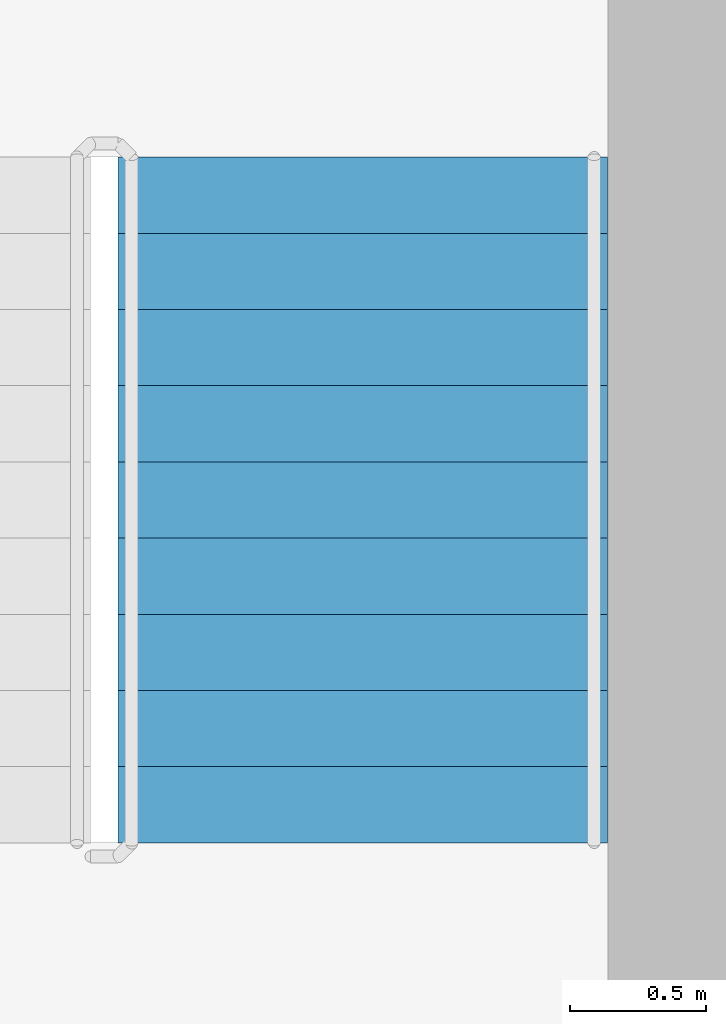
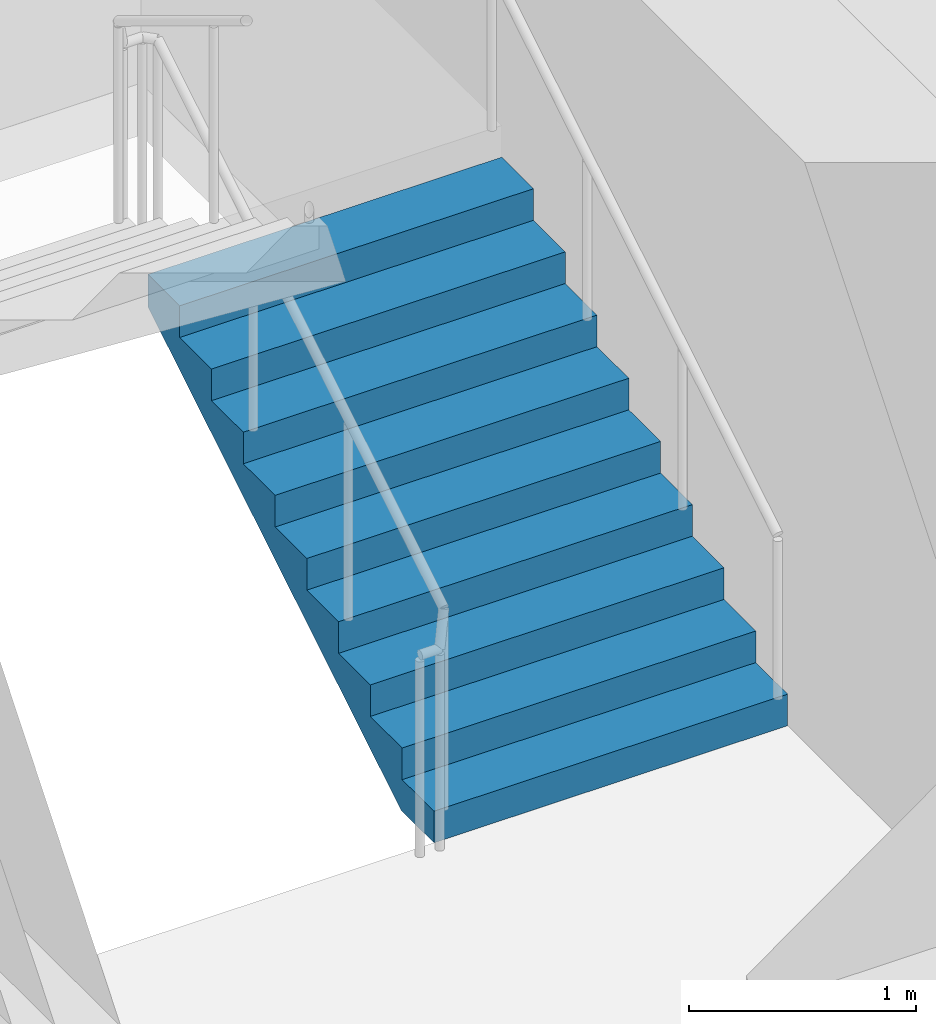
# One storey, part 12 of 21: 1 stair flight, 1 element without a shape of its own.
"""IFC4 building model written with IfcOpenShell, lengths in metres."""

from ifc_helpers import new_model, si_unit, direction, frame, origin, place, context, subcontext, project, spatial, triangles, source, transform, mapped, material, type_object, element, aggregate, save


model = new_model("IFC4")

# Units and contexts
model_context = context("Model", 3, precision=1e-05, world=origin(), true_north=direction((0.0, 1.0)))
body_context = subcontext(model_context, "Body", "Model", "MODEL_VIEW")
ifc_project = project(units=[si_unit("LENGTHUNIT", "METRE"), si_unit("AREAUNIT", "SQUARE_METRE"), si_unit("VOLUMEUNIT", "CUBIC_METRE"), si_unit("PLANEANGLEUNIT", "RADIAN"), si_unit("MASSUNIT", "GRAM", prefix="KILO")], contexts=[model_context])

# Site, building, storey
site_placement = place(None, origin())
site = spatial("IfcSite", under=ifc_project, at=site_placement, CompositionType="ELEMENT")
building_placement = place(site_placement, origin())
building = spatial("IfcBuilding", under=site, at=building_placement, Name="Kilnfold Tower and Market Hall", CompositionType="ELEMENT")
storey_placement = place(building_placement, frame((0.0, 0.0, 182.10009765625)))
storey = spatial("IfcBuildingStorey", under=building, at=storey_placement, Name="L43", CompositionType="ELEMENT", Elevation=182.10009765625)

# Stair, stair flight
ifc_material_1 = material(Name="Concrete C40/50", Category="concrete")
stair_type = type_object("IfcStairType", Name="CORE STAIR 1800", PredefinedType="HALF_TURN_STAIR", material=ifc_material_1)
stair_placement = place(storey_placement, origin())
stair = element("IfcStair", 1, at=stair_placement, inside=storey, type_object=stair_type, Name="L43 ST2", PredefinedType="HALF_TURN_STAIR")
ifc_material_2 = material(Name="Concrete C40/50", Category="concrete")
stair_flight_type = type_object("IfcStairFlightType", Name="CORE STAIR FLIGHT 1800", PredefinedType="STRAIGHT", material=ifc_material_2)
shared_shape = source(origin(), body_context, "Body", "Tessellation", [
    triangles([(0.0, 0.89990234375, 0.0), (0.0, 0.78759765625, 0.0), (0.0, 0.675048828125, 0.0), (0.0, 0.5625, 0.0), (0.0, 0.449951171875, 0.0), (0.0, 0.33740234375, 0.0), (0.0, 0.22509765625, 0.0), (0.0, 0.112548828125, 0.0), (0.0, 0.0, 0.0), (0.0, -0.112548828125, 0.0), (0.0, -0.22509765625, 0.0), (0.0, -0.33740234375, 0.0), (0.0, -0.449951171875, 0.0), (0.0, -0.5625, 0.0), (0.0, -0.675048828125, 0.0), (0.0, -0.78759765625, 0.0), (0.0, -0.89990234375, 0.0), (0.0, 0.89990234375, 0.169921875), (0.0, 0.78759765625, 0.169921875), (0.0, 0.675048828125, 0.169921875), (0.0, 0.5625, 0.169921875), (0.0, 0.449951171875, 0.169921875), (0.0, 0.33740234375, 0.169921875), (0.0, 0.22509765625, 0.169921875), (0.0, 0.112548828125, 0.169921875), (0.0, 0.0, 0.169921875), (0.0, -0.112548828125, 0.169921875), (0.0, -0.22509765625, 0.169921875), (0.0, -0.33740234375, 0.169921875), (0.0, -0.449951171875, 0.169921875), (0.0, -0.5625, 0.169921875), (0.0, -0.675048828125, 0.169921875), (0.0, -0.78759765625, 0.169921875), (0.0, -0.89990234375, 0.169921875), (0.280029296875, 0.89990234375, 0.169921875), (0.280029296875, 0.78759765625, 0.169921875), (0.280029296875, 0.675048828125, 0.169921875), (0.280029296875, 0.5625, 0.169921875), (0.280029296875, 0.449951171875, 0.169921875), (0.280029296875, 0.33740234375, 0.169921875), (0.280029296875, 0.22509765625, 0.169921875), (0.280029296875, 0.112548828125, 0.169921875), (0.280029296875, 0.0, 0.169921875), (0.280029296875, -0.112548828125, 0.169921875), (0.280029296875, -0.22509765625, 0.169921875), (0.280029296875, -0.33740234375, 0.169921875), (0.280029296875, -0.449951171875, 0.169921875), (0.280029296875, -0.5625, 0.169921875), (0.280029296875, -0.675048828125, 0.169921875), (0.280029296875, -0.78759765625, 0.169921875), (0.280029296875, -0.89990234375, 0.169921875), (0.280029296875, 0.89990234375, 0.340087890625), (0.280029296875, 0.78759765625, 0.340087890625), (0.280029296875, 0.675048828125, 0.340087890625), (0.280029296875, 0.5625, 0.340087890625), (0.280029296875, 0.449951171875, 0.340087890625), (0.280029296875, 0.33740234375, 0.340087890625), (0.280029296875, 0.22509765625, 0.340087890625), (0.280029296875, 0.112548828125, 0.340087890625), (0.280029296875, 0.0, 0.340087890625), (0.280029296875, -0.112548828125, 0.340087890625), (0.280029296875, -0.22509765625, 0.340087890625), (0.280029296875, -0.33740234375, 0.340087890625), (0.280029296875, -0.449951171875, 0.340087890625), (0.280029296875, -0.5625, 0.340087890625), (0.280029296875, -0.675048828125, 0.340087890625), (0.280029296875, -0.78759765625, 0.340087890625), (0.280029296875, -0.89990234375, 0.340087890625), (0.56005859375, 0.89990234375, 0.340087890625), (0.56005859375, 0.78759765625, 0.340087890625), (0.56005859375, 0.675048828125, 0.340087890625), (0.56005859375, 0.5625, 0.340087890625), (0.56005859375, 0.449951171875, 0.340087890625), (0.56005859375, 0.33740234375, 0.340087890625), (0.56005859375, 0.22509765625, 0.340087890625), (0.56005859375, 0.112548828125, 0.340087890625), (0.56005859375, 0.0, 0.340087890625), (0.56005859375, -0.112548828125, 0.340087890625), (0.56005859375, -0.22509765625, 0.340087890625), (0.56005859375, -0.33740234375, 0.340087890625), (0.56005859375, -0.449951171875, 0.340087890625), (0.56005859375, -0.5625, 0.340087890625), (0.56005859375, -0.675048828125, 0.340087890625), (0.56005859375, -0.78759765625, 0.340087890625), (0.56005859375, -0.89990234375, 0.340087890625), (0.56005859375, 0.89990234375, 0.510009765625), (0.56005859375, 0.78759765625, 0.510009765625), (0.56005859375, 0.675048828125, 0.510009765625), (0.56005859375, 0.5625, 0.510009765625), (0.56005859375, 0.449951171875, 0.510009765625), (0.56005859375, 0.33740234375, 0.510009765625), (0.56005859375, 0.22509765625, 0.510009765625), (0.56005859375, 0.112548828125, 0.510009765625), (0.56005859375, 0.0, 0.510009765625), (0.56005859375, -0.112548828125, 0.510009765625), (0.56005859375, -0.22509765625, 0.510009765625), (0.56005859375, -0.33740234375, 0.510009765625), (0.56005859375, -0.449951171875, 0.510009765625), (0.56005859375, -0.5625, 0.510009765625), (0.56005859375, -0.675048828125, 0.510009765625), (0.56005859375, -0.78759765625, 0.510009765625), (0.56005859375, -0.89990234375, 0.510009765625), (0.840087890625, 0.89990234375, 0.510009765625), (0.840087890625, 0.78759765625, 0.510009765625), (0.840087890625, 0.675048828125, 0.510009765625), (0.840087890625, 0.5625, 0.510009765625), (0.840087890625, 0.449951171875, 0.510009765625), (0.840087890625, 0.33740234375, 0.510009765625), (0.840087890625, 0.22509765625, 0.510009765625), (0.840087890625, 0.112548828125, 0.510009765625), (0.840087890625, 0.0, 0.510009765625), (0.840087890625, -0.112548828125, 0.510009765625), (0.840087890625, -0.22509765625, 0.510009765625), (0.840087890625, -0.33740234375, 0.510009765625), (0.840087890625, -0.449951171875, 0.510009765625), (0.840087890625, -0.5625, 0.510009765625), (0.840087890625, -0.675048828125, 0.510009765625), (0.840087890625, -0.78759765625, 0.510009765625), (0.840087890625, -0.89990234375, 0.510009765625), (0.840087890625, 0.89990234375, 0.679931640625), (0.840087890625, 0.78759765625, 0.679931640625), (0.840087890625, 0.675048828125, 0.679931640625), (0.840087890625, 0.5625, 0.679931640625), (0.840087890625, 0.449951171875, 0.679931640625), (0.840087890625, 0.33740234375, 0.679931640625), (0.840087890625, 0.22509765625, 0.679931640625), (0.840087890625, 0.112548828125, 0.679931640625), (0.840087890625, 0.0, 0.679931640625), (0.840087890625, -0.112548828125, 0.679931640625), (0.840087890625, -0.22509765625, 0.679931640625), (0.840087890625, -0.33740234375, 0.679931640625), (0.840087890625, -0.449951171875, 0.679931640625), (0.840087890625, -0.5625, 0.679931640625), (0.840087890625, -0.675048828125, 0.679931640625), (0.840087890625, -0.78759765625, 0.679931640625), (0.840087890625, -0.89990234375, 0.679931640625), (1.1201171875, 0.89990234375, 0.679931640625), (1.1201171875, 0.78759765625, 0.679931640625), (1.1201171875, 0.675048828125, 0.679931640625), (1.1201171875, 0.5625, 0.679931640625), (1.1201171875, 0.449951171875, 0.679931640625), (1.1201171875, 0.33740234375, 0.679931640625), (1.1201171875, 0.22509765625, 0.679931640625), (1.1201171875, 0.112548828125, 0.679931640625), (1.1201171875, 0.0, 0.679931640625), (1.1201171875, -0.112548828125, 0.679931640625), (1.1201171875, -0.22509765625, 0.679931640625), (1.1201171875, -0.33740234375, 0.679931640625), (1.1201171875, -0.449951171875, 0.679931640625), (1.1201171875, -0.5625, 0.679931640625), (1.1201171875, -0.675048828125, 0.679931640625), (1.1201171875, -0.78759765625, 0.679931640625), (1.1201171875, -0.89990234375, 0.679931640625), (1.1201171875, 0.89990234375, 0.85009765625), (1.1201171875, 0.78759765625, 0.85009765625), (1.1201171875, 0.675048828125, 0.85009765625), (1.1201171875, 0.5625, 0.85009765625), (1.1201171875, 0.449951171875, 0.85009765625), (1.1201171875, 0.33740234375, 0.85009765625), (1.1201171875, 0.22509765625, 0.85009765625), (1.1201171875, 0.112548828125, 0.85009765625), (1.1201171875, 0.0, 0.85009765625), (1.1201171875, -0.112548828125, 0.85009765625), (1.1201171875, -0.22509765625, 0.85009765625), (1.1201171875, -0.33740234375, 0.85009765625), (1.1201171875, -0.449951171875, 0.85009765625), (1.1201171875, -0.5625, 0.85009765625), (1.1201171875, -0.675048828125, 0.85009765625), (1.1201171875, -0.78759765625, 0.85009765625), (1.1201171875, -0.89990234375, 0.85009765625), (1.39990234375, 0.89990234375, 0.85009765625), (1.39990234375, 0.78759765625, 0.85009765625), (1.39990234375, 0.675048828125, 0.85009765625), (1.39990234375, 0.5625, 0.85009765625), (1.39990234375, 0.449951171875, 0.85009765625), (1.39990234375, 0.33740234375, 0.85009765625), (1.39990234375, 0.22509765625, 0.85009765625), (1.39990234375, 0.112548828125, 0.85009765625), (1.39990234375, 0.0, 0.85009765625), (1.39990234375, -0.112548828125, 0.85009765625), (1.39990234375, -0.22509765625, 0.85009765625), (1.39990234375, -0.33740234375, 0.85009765625), (1.39990234375, -0.449951171875, 0.85009765625), (1.39990234375, -0.5625, 0.85009765625), (1.39990234375, -0.675048828125, 0.85009765625), (1.39990234375, -0.78759765625, 0.85009765625), (1.39990234375, -0.89990234375, 0.85009765625), (1.39990234375, 0.89990234375, 1.02001953125), (1.39990234375, 0.78759765625, 1.02001953125), (1.39990234375, 0.675048828125, 1.02001953125), (1.39990234375, 0.5625, 1.02001953125), (1.39990234375, 0.449951171875, 1.02001953125), (1.39990234375, 0.33740234375, 1.02001953125), (1.39990234375, 0.22509765625, 1.02001953125), (1.39990234375, 0.112548828125, 1.02001953125), (1.39990234375, 0.0, 1.02001953125), (1.39990234375, -0.112548828125, 1.02001953125), (1.39990234375, -0.22509765625, 1.02001953125), (1.39990234375, -0.33740234375, 1.02001953125), (1.39990234375, -0.449951171875, 1.02001953125), (1.39990234375, -0.5625, 1.02001953125), (1.39990234375, -0.675048828125, 1.02001953125), (1.39990234375, -0.78759765625, 1.02001953125), (1.39990234375, -0.89990234375, 1.02001953125), (1.679931640625, 0.89990234375, 1.02001953125), (1.679931640625, 0.78759765625, 1.02001953125), (1.679931640625, 0.675048828125, 1.02001953125), (1.679931640625, 0.5625, 1.02001953125), (1.679931640625, 0.449951171875, 1.02001953125), (1.679931640625, 0.33740234375, 1.02001953125), (1.679931640625, 0.22509765625, 1.02001953125), (1.679931640625, 0.112548828125, 1.02001953125), (1.679931640625, 0.0, 1.02001953125), (1.679931640625, -0.112548828125, 1.02001953125), (1.679931640625, -0.22509765625, 1.02001953125), (1.679931640625, -0.33740234375, 1.02001953125), (1.679931640625, -0.449951171875, 1.02001953125), (1.679931640625, -0.5625, 1.02001953125), (1.679931640625, -0.675048828125, 1.02001953125), (1.679931640625, -0.78759765625, 1.02001953125), (1.679931640625, -0.89990234375, 1.02001953125), (1.679931640625, 0.89990234375, 1.18994140625), (1.679931640625, 0.78759765625, 1.18994140625), (1.679931640625, 0.675048828125, 1.18994140625), (1.679931640625, 0.5625, 1.18994140625), (1.679931640625, 0.449951171875, 1.18994140625), (1.679931640625, 0.33740234375, 1.18994140625), (1.679931640625, 0.22509765625, 1.18994140625), (1.679931640625, 0.112548828125, 1.18994140625), (1.679931640625, 0.0, 1.18994140625), (1.679931640625, -0.112548828125, 1.18994140625), (1.679931640625, -0.22509765625, 1.18994140625), (1.679931640625, -0.33740234375, 1.18994140625), (1.679931640625, -0.449951171875, 1.18994140625), (1.679931640625, -0.5625, 1.18994140625), (1.679931640625, -0.675048828125, 1.18994140625), (1.679931640625, -0.78759765625, 1.18994140625), (1.679931640625, -0.89990234375, 1.18994140625), (1.9599609375, 0.89990234375, 1.18994140625), (1.9599609375, 0.78759765625, 1.18994140625), (1.9599609375, 0.675048828125, 1.18994140625), (1.9599609375, 0.5625, 1.18994140625), (1.9599609375, 0.449951171875, 1.18994140625), (1.9599609375, 0.33740234375, 1.18994140625), (1.9599609375, 0.22509765625, 1.18994140625), (1.9599609375, 0.112548828125, 1.18994140625), (1.9599609375, 0.0, 1.18994140625), (1.9599609375, -0.112548828125, 1.18994140625), (1.9599609375, -0.22509765625, 1.18994140625), (1.9599609375, -0.33740234375, 1.18994140625), (1.9599609375, -0.449951171875, 1.18994140625), (1.9599609375, -0.5625, 1.18994140625), (1.9599609375, -0.675048828125, 1.18994140625), (1.9599609375, -0.78759765625, 1.18994140625), (1.9599609375, -0.89990234375, 1.18994140625), (1.9599609375, 0.89990234375, 1.360107421875), (1.9599609375, 0.78759765625, 1.360107421875), (1.9599609375, 0.675048828125, 1.360107421875), (1.9599609375, 0.5625, 1.360107421875), (1.9599609375, 0.449951171875, 1.360107421875), (1.9599609375, 0.33740234375, 1.360107421875), (1.9599609375, 0.22509765625, 1.360107421875), (1.9599609375, 0.112548828125, 1.360107421875), (1.9599609375, 0.0, 1.360107421875), (1.9599609375, -0.112548828125, 1.360107421875), (1.9599609375, -0.22509765625, 1.360107421875), (1.9599609375, -0.33740234375, 1.360107421875), (1.9599609375, -0.449951171875, 1.360107421875), (1.9599609375, -0.5625, 1.360107421875), (1.9599609375, -0.675048828125, 1.360107421875), (1.9599609375, -0.78759765625, 1.360107421875), (1.9599609375, -0.89990234375, 1.360107421875), (2.239990234375, 0.89990234375, 1.360107421875), (2.239990234375, 0.78759765625, 1.360107421875), (2.239990234375, 0.675048828125, 1.360107421875), (2.239990234375, 0.5625, 1.360107421875), (2.239990234375, 0.449951171875, 1.360107421875), (2.239990234375, 0.33740234375, 1.360107421875), (2.239990234375, 0.22509765625, 1.360107421875), (2.239990234375, 0.112548828125, 1.360107421875), (2.239990234375, 0.0, 1.360107421875), (2.239990234375, -0.112548828125, 1.360107421875), (2.239990234375, -0.22509765625, 1.360107421875), (2.239990234375, -0.33740234375, 1.360107421875), (2.239990234375, -0.449951171875, 1.360107421875), (2.239990234375, -0.5625, 1.360107421875), (2.239990234375, -0.675048828125, 1.360107421875), (2.239990234375, -0.78759765625, 1.360107421875), (2.239990234375, -0.89990234375, 1.360107421875), (2.239990234375, 0.89990234375, 1.530029296875), (2.239990234375, 0.78759765625, 1.530029296875), (2.239990234375, 0.675048828125, 1.530029296875), (2.239990234375, 0.5625, 1.530029296875), (2.239990234375, 0.449951171875, 1.530029296875), (2.239990234375, 0.33740234375, 1.530029296875), (2.239990234375, 0.22509765625, 1.530029296875), (2.239990234375, 0.112548828125, 1.530029296875), (2.239990234375, 0.0, 1.530029296875), (2.239990234375, -0.112548828125, 1.530029296875), (2.239990234375, -0.22509765625, 1.530029296875), (2.239990234375, -0.33740234375, 1.530029296875), (2.239990234375, -0.449951171875, 1.530029296875), (2.239990234375, -0.5625, 1.530029296875), (2.239990234375, -0.675048828125, 1.530029296875), (2.239990234375, -0.78759765625, 1.530029296875), (2.239990234375, -0.89990234375, 1.530029296875), (2.52001953125, 0.89990234375, 1.530029296875), (2.52001953125, 0.78759765625, 1.530029296875), (2.52001953125, 0.675048828125, 1.530029296875), (2.52001953125, 0.5625, 1.530029296875), (2.52001953125, 0.449951171875, 1.530029296875), (2.52001953125, 0.33740234375, 1.530029296875), (2.52001953125, 0.22509765625, 1.530029296875), (2.52001953125, 0.112548828125, 1.530029296875), (2.52001953125, 0.0, 1.530029296875), (2.52001953125, -0.112548828125, 1.530029296875), (2.52001953125, -0.22509765625, 1.530029296875), (2.52001953125, -0.33740234375, 1.530029296875), (2.52001953125, -0.449951171875, 1.530029296875), (2.52001953125, -0.5625, 1.530029296875), (2.52001953125, -0.675048828125, 1.530029296875), (2.52001953125, -0.78759765625, 1.530029296875), (2.52001953125, -0.89990234375, 1.530029296875), (2.52001953125, 0.89990234375, 1.354736328125), (2.52001953125, 0.78759765625, 1.354736328125), (2.52001953125, 0.675048828125, 1.354736328125), (2.52001953125, 0.5625, 1.354736328125), (2.52001953125, 0.449951171875, 1.354736328125), (2.52001953125, 0.33740234375, 1.354736328125), (2.52001953125, 0.22509765625, 1.354736328125), (2.52001953125, 0.112548828125, 1.354736328125), (2.52001953125, 0.0, 1.354736328125), (2.52001953125, -0.112548828125, 1.354736328125), (2.52001953125, -0.22509765625, 1.354736328125), (2.52001953125, -0.33740234375, 1.354736328125), (2.52001953125, -0.449951171875, 1.354736328125), (2.52001953125, -0.5625, 1.354736328125), (2.52001953125, -0.675048828125, 1.354736328125), (2.52001953125, -0.78759765625, 1.354736328125), (2.52001953125, -0.89990234375, 1.354736328125), (0.288818359375, 0.89990234375, 0.0), (0.288818359375, 0.78759765625, 0.0), (0.288818359375, 0.675048828125, 0.0), (0.288818359375, 0.5625, 0.0), (0.288818359375, 0.449951171875, 0.0), (0.288818359375, 0.33740234375, 0.0), (0.288818359375, 0.22509765625, 0.0), (0.288818359375, 0.112548828125, 0.0), (0.288818359375, 0.0, 0.0), (0.288818359375, -0.112548828125, 0.0), (0.288818359375, -0.22509765625, 0.0), (0.288818359375, -0.33740234375, 0.0), (0.288818359375, -0.449951171875, 0.0), (0.288818359375, -0.5625, 0.0), (0.288818359375, -0.675048828125, 0.0), (0.288818359375, -0.78759765625, 0.0), (0.288818359375, -0.89990234375, 0.0)], [[1, 324, 341], [17, 357, 340], [324, 290, 307], [340, 323, 306], [324, 273, 290], [340, 306, 289], [324, 256, 273], [340, 289, 272], [324, 239, 256], [340, 272, 255], [239, 205, 222], [255, 238, 221], [324, 205, 239], [340, 255, 221], [205, 171, 188], [221, 204, 187], [324, 171, 205], [340, 221, 187], [171, 137, 154], [187, 170, 153], [324, 137, 171], [340, 187, 153], [137, 103, 120], [153, 136, 119], [324, 103, 137], [340, 153, 119], [103, 69, 86], [119, 102, 85], [324, 69, 103], [340, 119, 85], [69, 35, 52], [85, 68, 51], [324, 35, 69], [340, 85, 51], [1, 35, 324], [17, 340, 51], [35, 1, 18], [51, 34, 17], [1, 19, 18], [1, 2, 19], [2, 20, 19], [2, 3, 20], [3, 21, 20], [3, 4, 21], [4, 22, 21], [4, 5, 22], [5, 23, 22], [5, 6, 23], [6, 24, 23], [6, 7, 24], [7, 25, 24], [7, 8, 25], [8, 26, 25], [8, 9, 26], [9, 27, 26], [9, 10, 27], [10, 28, 27], [10, 11, 28], [11, 29, 28], [11, 12, 29], [12, 30, 29], [12, 13, 30], [13, 31, 30], [13, 14, 31], [14, 32, 31], [14, 15, 32], [15, 33, 32], [15, 16, 33], [16, 34, 33], [16, 17, 34], [18, 36, 35], [18, 19, 36], [19, 37, 36], [19, 20, 37], [20, 38, 37], [20, 21, 38], [21, 39, 38], [21, 22, 39], [22, 40, 39], [22, 23, 40], [23, 41, 40], [23, 24, 41], [24, 42, 41], [24, 25, 42], [25, 43, 42], [25, 26, 43], [26, 44, 43], [26, 27, 44], [27, 45, 44], [27, 28, 45], [28, 46, 45], [28, 29, 46], [29, 47, 46], [29, 30, 47], [30, 48, 47], [30, 31, 48], [31, 49, 48], [31, 32, 49], [32, 50, 49], [32, 33, 50], [33, 51, 50], [33, 34, 51], [35, 53, 52], [35, 36, 53], [36, 54, 53], [36, 37, 54], [37, 55, 54], [37, 38, 55], [38, 56, 55], [38, 39, 56], [39, 57, 56], [39, 40, 57], [40, 58, 57], [40, 41, 58], [41, 59, 58], [41, 42, 59], [42, 60, 59], [42, 43, 60], [43, 61, 60], [43, 44, 61], [44, 62, 61], [44, 45, 62], [45, 63, 62], [45, 46, 63], [46, 64, 63], [46, 47, 64], [47, 65, 64], [47, 48, 65], [48, 66, 65], [48, 49, 66], [49, 67, 66], [49, 50, 67], [50, 68, 67], [50, 51, 68], [52, 70, 69], [52, 53, 70], [53, 71, 70], [53, 54, 71], [54, 72, 71], [54, 55, 72], [55, 73, 72], [55, 56, 73], [56, 74, 73], [56, 57, 74], [57, 75, 74], [57, 58, 75], [58, 76, 75], [58, 59, 76], [59, 77, 76], [59, 60, 77], [60, 78, 77], [60, 61, 78], [61, 79, 78], [61, 62, 79], [62, 80, 79], [62, 63, 80], [63, 81, 80], [63, 64, 81], [64, 82, 81], [64, 65, 82], [65, 83, 82], [65, 66, 83], [66, 84, 83], [66, 67, 84], [67, 85, 84], [67, 68, 85], [69, 87, 86], [69, 70, 87], [70, 88, 87], [70, 71, 88], [71, 89, 88], [71, 72, 89], [72, 90, 89], [72, 73, 90], [73, 91, 90], [73, 74, 91], [74, 92, 91], [74, 75, 92], [75, 93, 92], [75, 76, 93], [76, 94, 93], [76, 77, 94], [77, 95, 94], [77, 78, 95], [78, 96, 95], [78, 79, 96], [79, 97, 96], [79, 80, 97], [80, 98, 97], [80, 81, 98], [81, 99, 98], [81, 82, 99], [82, 100, 99], [82, 83, 100], [83, 101, 100], [83, 84, 101], [84, 102, 101], [84, 85, 102], [86, 104, 103], [86, 87, 104], [87, 105, 104], [87, 88, 105], [88, 106, 105], [88, 89, 106], [89, 107, 106], [89, 90, 107], [90, 108, 107], [90, 91, 108], [91, 109, 108], [91, 92, 109], [92, 110, 109], [92, 93, 110], [93, 111, 110], [93, 94, 111], [94, 112, 111], [94, 95, 112], [95, 113, 112], [95, 96, 113], [96, 114, 113], [96, 97, 114], [97, 115, 114], [97, 98, 115], [98, 116, 115], [98, 99, 116], [99, 117, 116], [99, 100, 117], [100, 118, 117], [100, 101, 118], [101, 119, 118], [101, 102, 119], [103, 121, 120], [103, 104, 121], [104, 122, 121], [104, 105, 122], [105, 123, 122], [105, 106, 123], [106, 124, 123], [106, 107, 124], [107, 125, 124], [107, 108, 125], [108, 126, 125], [108, 109, 126], [109, 127, 126], [109, 110, 127], [110, 128, 127], [110, 111, 128], [111, 129, 128], [111, 112, 129], [112, 130, 129], [112, 113, 130], [113, 131, 130], [113, 114, 131], [114, 132, 131], [114, 115, 132], [115, 133, 132], [115, 116, 133], [116, 134, 133], [116, 117, 134], [117, 135, 134], [117, 118, 135], [118, 136, 135], [118, 119, 136], [120, 138, 137], [120, 121, 138], [121, 139, 138], [121, 122, 139], [122, 140, 139], [122, 123, 140], [123, 141, 140], [123, 124, 141], [124, 142, 141], [124, 125, 142], [125, 143, 142], [125, 126, 143], [126, 144, 143], [126, 127, 144], [127, 145, 144], [127, 128, 145], [128, 146, 145], [128, 129, 146], [129, 147, 146], [129, 130, 147], [130, 148, 147], [130, 131, 148], [131, 149, 148], [131, 132, 149], [132, 150, 149], [132, 133, 150], [133, 151, 150], [133, 134, 151], [134, 152, 151], [134, 135, 152], [135, 153, 152], [135, 136, 153], [137, 155, 154], [137, 138, 155], [138, 156, 155], [138, 139, 156], [139, 157, 156], [139, 140, 157], [140, 158, 157], [140, 141, 158], [141, 159, 158], [141, 142, 159], [142, 160, 159], [142, 143, 160], [143, 161, 160], [143, 144, 161], [144, 162, 161], [144, 145, 162], [145, 163, 162], [145, 146, 163], [146, 164, 163], [146, 147, 164], [147, 165, 164], [147, 148, 165], [148, 166, 165], [148, 149, 166], [149, 167, 166], [149, 150, 167], [150, 168, 167], [150, 151, 168], [151, 169, 168], [151, 152, 169], [152, 170, 169], [152, 153, 170], [154, 172, 171], [154, 155, 172], [155, 173, 172], [155, 156, 173], [156, 174, 173], [156, 157, 174], [157, 175, 174], [157, 158, 175], [158, 176, 175], [158, 159, 176], [159, 177, 176], [159, 160, 177], [160, 178, 177], [160, 161, 178], [161, 179, 178], [161, 162, 179], [162, 180, 179], [162, 163, 180], [163, 181, 180], [163, 164, 181], [164, 182, 181], [164, 165, 182], [165, 183, 182], [165, 166, 183], [166, 184, 183], [166, 167, 184], [167, 185, 184], [167, 168, 185], [168, 186, 185], [168, 169, 186], [169, 187, 186], [169, 170, 187], [171, 189, 188], [171, 172, 189], [172, 190, 189], [172, 173, 190], [173, 191, 190], [173, 174, 191], [174, 192, 191], [174, 175, 192], [175, 193, 192], [175, 176, 193], [176, 194, 193], [176, 177, 194], [177, 195, 194], [177, 178, 195], [178, 196, 195], [178, 179, 196], [179, 197, 196], [179, 180, 197], [180, 198, 197], [180, 181, 198], [181, 199, 198], [181, 182, 199], [182, 200, 199], [182, 183, 200], [183, 201, 200], [183, 184, 201], [184, 202, 201], [184, 185, 202], [185, 203, 202], [185, 186, 203], [186, 204, 203], [186, 187, 204], [188, 206, 205], [188, 189, 206], [189, 207, 206], [189, 190, 207], [190, 208, 207], [190, 191, 208], [191, 209, 208], [191, 192, 209], [192, 210, 209], [192, 193, 210], [193, 211, 210], [193, 194, 211], [194, 212, 211], [194, 195, 212], [195, 213, 212], [195, 196, 213], [196, 214, 213], [196, 197, 214], [197, 215, 214], [197, 198, 215], [198, 216, 215], [198, 199, 216], [199, 217, 216], [199, 200, 217], [200, 218, 217], [200, 201, 218], [201, 219, 218], [201, 202, 219], [202, 220, 219], [202, 203, 220], [203, 221, 220], [203, 204, 221], [205, 223, 222], [205, 206, 223], [206, 224, 223], [206, 207, 224], [207, 225, 224], [207, 208, 225], [208, 226, 225], [208, 209, 226], [209, 227, 226], [209, 210, 227], [210, 228, 227], [210, 211, 228], [211, 229, 228], [211, 212, 229], [212, 230, 229], [212, 213, 230], [213, 231, 230], [213, 214, 231], [214, 232, 231], [214, 215, 232], [215, 233, 232], [215, 216, 233], [216, 234, 233], [216, 217, 234], [217, 235, 234], [217, 218, 235], [218, 236, 235], [218, 219, 236], [219, 237, 236], [219, 220, 237], [220, 238, 237], [220, 221, 238], [222, 240, 239], [222, 223, 240], [223, 241, 240], [223, 224, 241], [224, 242, 241], [224, 225, 242], [225, 243, 242], [225, 226, 243], [226, 244, 243], [226, 227, 244], [227, 245, 244], [227, 228, 245], [228, 246, 245], [228, 229, 246], [229, 247, 246], [229, 230, 247], [230, 248, 247], [230, 231, 248], [231, 249, 248], [231, 232, 249], [232, 250, 249], [232, 233, 250], [233, 251, 250], [233, 234, 251], [234, 252, 251], [234, 235, 252], [235, 253, 252], [235, 236, 253], [236, 254, 253], [236, 237, 254], [237, 255, 254], [237, 238, 255], [239, 257, 256], [239, 240, 257], [240, 258, 257], [240, 241, 258], [241, 259, 258], [241, 242, 259], [242, 260, 259], [242, 243, 260], [243, 261, 260], [243, 244, 261], [244, 262, 261], [244, 245, 262], [245, 263, 262], [245, 246, 263], [246, 264, 263], [246, 247, 264], [247, 265, 264], [247, 248, 265], [248, 266, 265], [248, 249, 266], [249, 267, 266], [249, 250, 267], [250, 268, 267], [250, 251, 268], [251, 269, 268], [251, 252, 269], [252, 270, 269], [252, 253, 270], [253, 271, 270], [253, 254, 271], [254, 272, 271], [254, 255, 272], [256, 274, 273], [256, 257, 274], [257, 275, 274], [257, 258, 275], [258, 276, 275], [258, 259, 276], [259, 277, 276], [259, 260, 277], [260, 278, 277], [260, 261, 278], [261, 279, 278], [261, 262, 279], [262, 280, 279], [262, 263, 280], [263, 281, 280], [263, 264, 281], [264, 282, 281], [264, 265, 282], [265, 283, 282], [265, 266, 283], [266, 284, 283], [266, 267, 284], [267, 285, 284], [267, 268, 285], [268, 286, 285], [268, 269, 286], [269, 287, 286], [269, 270, 287], [270, 288, 287], [270, 271, 288], [271, 289, 288], [271, 272, 289], [273, 291, 290], [273, 274, 291], [274, 292, 291], [274, 275, 292], [275, 293, 292], [275, 276, 293], [276, 294, 293], [276, 277, 294], [277, 295, 294], [277, 278, 295], [278, 296, 295], [278, 279, 296], [279, 297, 296], [279, 280, 297], [280, 298, 297], [280, 281, 298], [281, 299, 298], [281, 282, 299], [282, 300, 299], [282, 283, 300], [283, 301, 300], [283, 284, 301], [284, 302, 301], [284, 285, 302], [285, 303, 302], [285, 286, 303], [286, 304, 303], [286, 287, 304], [287, 305, 304], [287, 288, 305], [288, 306, 305], [288, 289, 306], [290, 308, 307], [290, 291, 308], [291, 309, 308], [291, 292, 309], [292, 310, 309], [292, 293, 310], [293, 311, 310], [293, 294, 311], [294, 312, 311], [294, 295, 312], [295, 313, 312], [295, 296, 313], [296, 314, 313], [296, 297, 314], [297, 315, 314], [297, 298, 315], [298, 316, 315], [298, 299, 316], [299, 317, 316], [299, 300, 317], [300, 318, 317], [300, 301, 318], [301, 319, 318], [301, 302, 319], [302, 320, 319], [302, 303, 320], [303, 321, 320], [303, 304, 321], [304, 322, 321], [304, 305, 322], [305, 323, 322], [305, 306, 323], [307, 325, 324], [307, 308, 325], [308, 326, 325], [308, 309, 326], [309, 327, 326], [309, 310, 327], [310, 328, 327], [310, 311, 328], [311, 329, 328], [311, 312, 329], [312, 330, 329], [312, 313, 330], [313, 331, 330], [313, 314, 331], [314, 332, 331], [314, 315, 332], [315, 333, 332], [315, 316, 333], [316, 334, 333], [316, 317, 334], [317, 335, 334], [317, 318, 335], [318, 336, 335], [318, 319, 336], [319, 337, 336], [319, 320, 337], [320, 338, 337], [320, 321, 338], [321, 339, 338], [321, 322, 339], [322, 340, 339], [322, 323, 340], [324, 342, 341], [324, 325, 342], [325, 343, 342], [325, 326, 343], [326, 344, 343], [326, 327, 344], [327, 345, 344], [327, 328, 345], [328, 346, 345], [328, 329, 346], [329, 347, 346], [329, 330, 347], [330, 348, 347], [330, 331, 348], [331, 349, 348], [331, 332, 349], [332, 350, 349], [332, 333, 350], [333, 351, 350], [333, 334, 351], [334, 352, 351], [334, 335, 352], [335, 353, 352], [335, 336, 353], [336, 354, 353], [336, 337, 354], [337, 355, 354], [337, 338, 355], [338, 356, 355], [338, 339, 356], [339, 357, 356], [339, 340, 357], [341, 2, 1], [341, 342, 2], [342, 3, 2], [342, 343, 3], [343, 4, 3], [343, 344, 4], [344, 5, 4], [344, 345, 5], [345, 6, 5], [345, 346, 6], [346, 7, 6], [346, 347, 7], [347, 8, 7], [347, 348, 8], [348, 9, 8], [348, 349, 9], [349, 10, 9], [349, 350, 10], [350, 11, 10], [350, 351, 11], [351, 12, 11], [351, 352, 12], [352, 13, 12], [352, 353, 13], [353, 14, 13], [353, 354, 14], [354, 15, 14], [354, 355, 15], [355, 16, 15], [355, 356, 16], [356, 17, 16], [356, 357, 17]], closed=True),
])
stair_flight_placement = place(storey_placement, frame((16.199951171875, 10.800048828125, 0.0), z_axis=(0.0, 0.0, 1.0), x_axis=(0.0, 1.0, 0.0)))
stair_flight = element("IfcStairFlight", 2, at=stair_flight_placement, type_object=stair_flight_type, Name="ST2 flight 1", NumberOfRisers=10, NumberOfTreads=9, PredefinedType="STRAIGHT", RiserHeight=0.17, TreadLength=0.28, context=body_context, shape_type="MappedRepresentation", body=[
    mapped(shared_shape, transform((0.0, 0.0, 0.0))),
])
aggregate(stair, [stair_flight])

save(model, "model.ifc")
